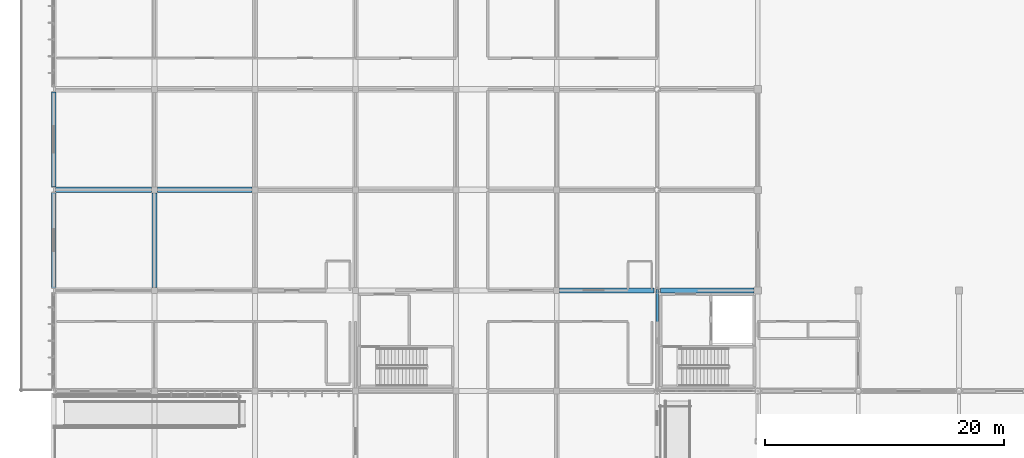
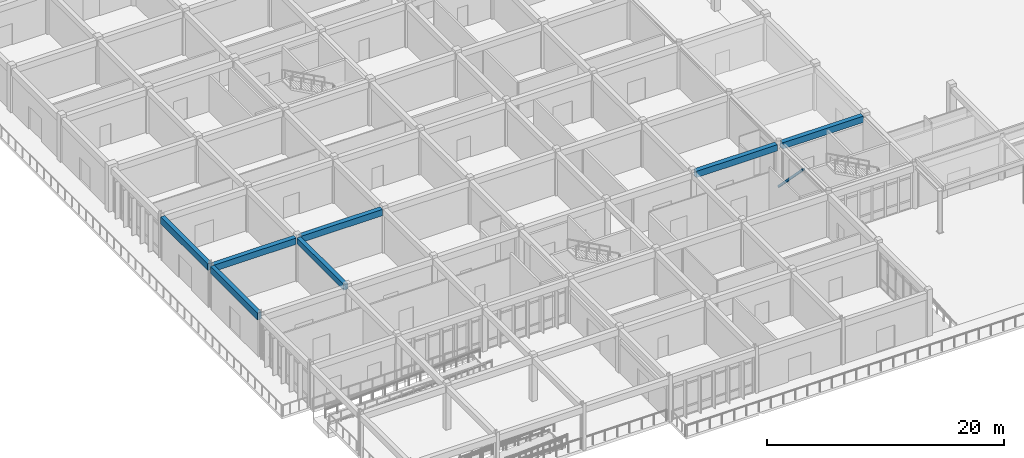
# One storey, part 15 of 138: 7 beams, 1 member.
"""IFC4 building model written with IfcOpenShell, lengths in metres."""

from ifc_helpers import new_model, si_unit, direction, frame, origin, origin_2d, place, context, subcontext, project, spatial, rectangle, hollow_rectangle, extrude, material, material_profile, profile_set, type_object, element, save


model = new_model("IFC4")

# Units and contexts
model_context = context("Model", 3, precision=1e-05, world=origin(), true_north=direction((0.0, 1.0)))
body_context = subcontext(model_context, "Body", "Model", "MODEL_VIEW")
ifc_project = project(units=[si_unit("LENGTHUNIT", "METRE"), si_unit("AREAUNIT", "SQUARE_METRE"), si_unit("VOLUMEUNIT", "CUBIC_METRE"), si_unit("PLANEANGLEUNIT", "RADIAN"), si_unit("MASSUNIT", "GRAM", prefix="KILO")], contexts=[model_context])

# Site, building, storey
site_placement = place(None, origin())
site = spatial("IfcSite", under=ifc_project, at=site_placement, CompositionType="ELEMENT")
building_placement = place(site_placement, origin())
building = spatial("IfcBuilding", under=site, at=building_placement, Name="Bramfleet General Hospital", CompositionType="ELEMENT")
storey_placement = place(building_placement, origin())
storey = spatial("IfcBuildingStorey", under=building, at=storey_placement, Name="L00", CompositionType="ELEMENT", Elevation=0.0)

# Beams
ifc_material_1 = material(Name="Concrete C35/45", Category="concrete")
ifc_material_profile_1 = material_profile(ifc_material_1, rectangle(XDim=0.39990234375, YDim=0.60009765625, at=origin_2d()), Name="RC BM 600x400")
ifc_profile_set_1 = profile_set([ifc_material_profile_1], Name="Concrete C35/45")
beam_type_1 = type_object("IfcBeamType", Name="BM-RC600", PredefinedType="BEAM", material=ifc_profile_set_1)
beam_1_placement = place(storey_placement, frame((8.39990234375, 25.449951171875, 4.199951171875), z_axis=(0.0, 1.0, 0.0), x_axis=(-1.0, 0.0, 0.0)))
element("IfcBeam", 1, at=beam_1_placement, inside=storey, type_object=beam_type_1, Name="L00 Grid Beam Y 01-03", PredefinedType="BEAM", context=body_context, shape_type="SweptSolid", body=[
    extrude(rectangle(XDim=0.39990234375, YDim=0.60009765625, at=origin_2d()), origin(), (0.0, 0.0, 1.0), 7.900146484375),
])
ifc_material_profile_2 = material_profile(ifc_material_1, rectangle(XDim=0.449951171875, YDim=0.64990234375, at=origin_2d()), Name="RC BM 650x450")
ifc_profile_set_2 = profile_set([ifc_material_profile_2], Name="Concrete C35/45")
beam_type_2 = type_object("IfcBeamType", Name="BM-RC650", PredefinedType="BEAM", material=ifc_profile_set_2)
beam_2_placement = place(storey_placement, frame((0.14990234375, 33.60009765625, 4.175048828125), z_axis=(1.0, 0.0, 0.0), x_axis=(0.0, 1.0, 0.0)))
element("IfcBeam", 2, at=beam_2_placement, inside=storey, type_object=beam_type_2, Name="L00 Grid Beam X 00-04", PredefinedType="BEAM", context=body_context, shape_type="SweptSolid", body=[
    extrude(rectangle(XDim=0.449951171875, YDim=0.64990234375, at=origin_2d()), origin(), (0.0, 0.0, 1.0), 8.0),
])
beam_3_placement = place(storey_placement, frame((8.64990234375, 33.60009765625, 4.175048828125), z_axis=(1.0, 0.0, 0.0), x_axis=(0.0, 1.0, 0.0)))
element("IfcBeam", 3, at=beam_3_placement, inside=storey, type_object=beam_type_2, Name="L00 Grid Beam X 01-04", PredefinedType="BEAM", context=body_context, shape_type="SweptSolid", body=[
    extrude(rectangle(XDim=0.449951171875, YDim=0.64990234375, at=origin_2d()), origin(), (0.0, 0.0, 1.0), 7.900146484375),
])
beam_4_placement = place(storey_placement, frame((42.25, 25.199951171875, 4.175048828125), z_axis=(1.0, 0.0, 0.0), x_axis=(0.0, 1.0, 0.0)))
element("IfcBeam", 4, at=beam_4_placement, inside=storey, type_object=beam_type_2, Name="L00 Grid Beam X 05-03", PredefinedType="BEAM", context=body_context, shape_type="SweptSolid", body=[
    extrude(rectangle(XDim=0.449951171875, YDim=0.64990234375, at=origin_2d()), origin(), (0.0, 0.0, 1.0), 7.89599609375),
])
beam_5_placement = place(storey_placement, frame((50.654052734375, 25.199951171875, 4.175048828125), z_axis=(1.0, 0.0, 0.0), x_axis=(0.0, 1.0, 0.0)))
element("IfcBeam", 5, at=beam_5_placement, inside=storey, type_object=beam_type_2, Name="L00 Grid Beam X 06-03", PredefinedType="BEAM", context=body_context, shape_type="SweptSolid", body=[
    extrude(rectangle(XDim=0.449951171875, YDim=0.64990234375, at=origin_2d()), origin(), (0.0, 0.0, 1.0), 7.845947265625),
])
ifc_material_profile_3 = material_profile(ifc_material_1, rectangle(XDim=0.39990234375, YDim=0.699951171875, at=origin_2d()), Name="RC SP 700x400")
ifc_profile_set_3 = profile_set([ifc_material_profile_3], Name="Concrete C35/45")
beam_type_3 = type_object("IfcBeamType", Name="BM-SP700", PredefinedType="SPANDREL", material=ifc_profile_set_3)
for number, where, z_axis, x_axis, name in (
    (6, (0.0, 25.425048828125, 4.14990234375), (0.0, 1.0, 0.0), (-1.0, 0.0, 0.0), "L00 Grid Beam Y 00-03"),
    (7, (0.0, 33.824951171875, 4.14990234375), (0.0, 1.0, 0.0), (-1.0, 0.0, 0.0), "L00 Grid Beam Y 00-04"),
):
    element("IfcBeam", number, at=place(storey_placement, frame(where, z_axis=z_axis, x_axis=x_axis)), inside=storey, type_object=beam_type_3, Name=name, PredefinedType="SPANDREL", context=body_context, shape_type="SweptSolid", body=[
        extrude(rectangle(XDim=0.39990234375, YDim=0.699951171875, at=origin_2d()), origin(), (0.0, 0.0, 1.0), 7.949951171875),
    ])

# Member
ifc_material_2 = material(Name="Steel S355", Category="steel")
ifc_material_profile_4 = material_profile(ifc_material_2, hollow_rectangle(XDim=0.199951171875, YDim=0.199951171875, WallThickness=0.012451171875, at=origin_2d()), Name="SHS 200x200x12.5")
ifc_profile_set_4 = profile_set([ifc_material_profile_4], Name="Steel S355")
member_type = type_object("IfcMemberType", Name="MEM-BR-SHS200", PredefinedType="BRACE", material=ifc_profile_set_4)
member_placement = place(storey_placement, frame((50.39990234375, 25.199951171875, -0.02001953125), z_axis=(0.0, -0.697068556516, 0.717004482215), x_axis=(1.0, 0.0, 0.0)))
element("IfcMember", 8, at=member_placement, inside=storey, type_object=member_type, Name="L00 Chevron Brace 1B", PredefinedType="BRACE", context=body_context, shape_type="SweptSolid", body=[
    extrude(hollow_rectangle(XDim=0.199951171875, YDim=0.199951171875, WallThickness=0.012451171875, at=origin_2d()), origin(), (0.0, 0.0, 1.0), 6.025146484375),
])

save(model, "model.ifc")
